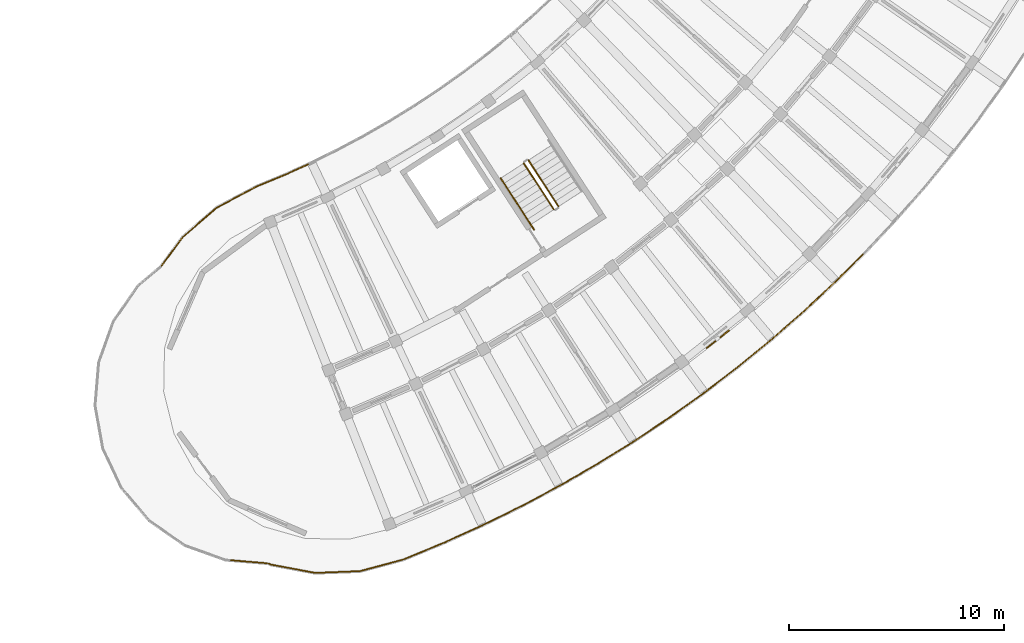
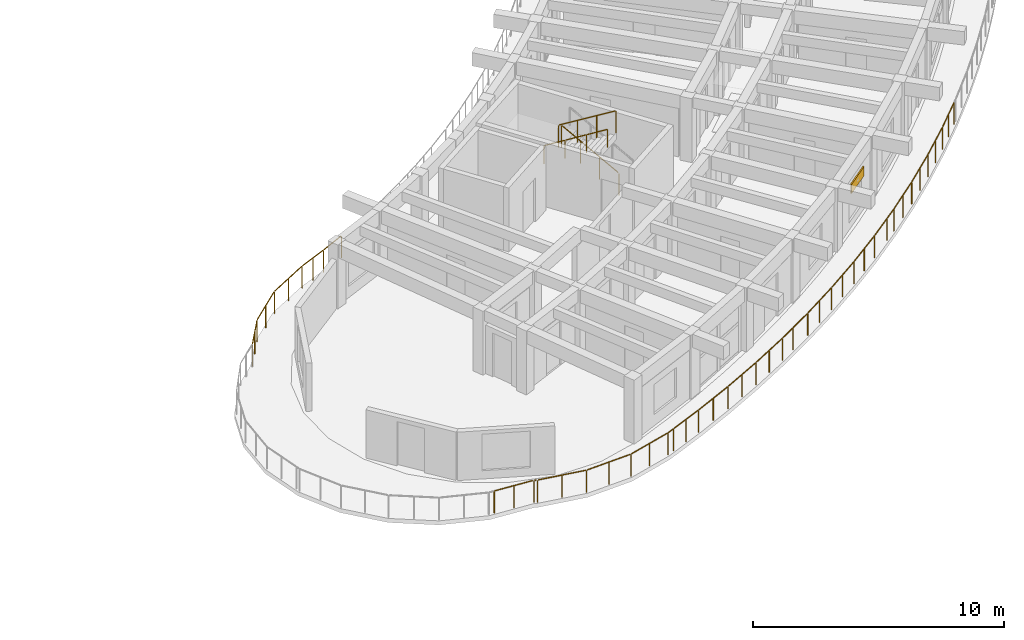
# One storey, part 76 of 83: 10 railings, 1 shading device.
"""IFC4 building model written with IfcOpenShell, lengths in metres."""

from ifc_helpers import new_model, si_unit, direction, frame, origin, origin_2d, place, context, subcontext, project, spatial, rectangle, circle, extrude, material, layer, layer_set, type_object, element, save


model = new_model("IFC4")

# Units and contexts
model_context = context("Model", 3, precision=1e-05, world=origin(), true_north=direction((0.0, 1.0)))
body_context = subcontext(model_context, "Body", "Model", "MODEL_VIEW")
ifc_project = project(units=[si_unit("LENGTHUNIT", "METRE"), si_unit("AREAUNIT", "SQUARE_METRE"), si_unit("VOLUMEUNIT", "CUBIC_METRE"), si_unit("PLANEANGLEUNIT", "RADIAN"), si_unit("MASSUNIT", "GRAM", prefix="KILO")], contexts=[model_context])

# Site, building, storey
site_placement = place(None, origin())
site = spatial("IfcSite", under=ifc_project, at=site_placement, CompositionType="ELEMENT")
building_placement = place(site_placement, origin())
building = spatial("IfcBuilding", under=site, at=building_placement, Name="Tanwirah Colonnade Gardens", CompositionType="ELEMENT")
storey_placement = place(building_placement, frame((0.0, 0.0, 25.639892578125)))
storey = spatial("IfcBuildingStorey", under=building, at=storey_placement, Name="L07", CompositionType="ELEMENT", Elevation=25.639892578125)

# Railings
ifc_material_1 = material(Name="Precast concrete C40/50", Category="concrete")
railing_type_1 = type_object("IfcRailingType", Name="BAL-EXT110", PredefinedType="BALUSTRADE", material=ifc_material_1)
railing_1_placement = place(storey_placement, frame((132.203369140625, 21.069580078125, 0.0)))
element("IfcRailing", 1, at=railing_1_placement, inside=storey, type_object=railing_type_1, Name="Block D L07 Balcony Ribbon Balustrade 1", PredefinedType="BALUSTRADE", context=body_context, shape_type="SweptSolid", body=[
    extrude(circle(Radius=0.02392578125, at=origin_2d()), frame((0.0185546875, 0.025146484375, 1.076171875), z_axis=(0.592790459471, 0.805356735342, 0.0), x_axis=(-0.805356735342, 0.592790459471, 0.0)), (0.0, 0.0, 1.0), 1.64990234375),
    extrude(circle(Radius=0.02392578125, at=origin_2d()), frame((1.038818359375, 1.399658203125, 1.076171875), z_axis=(0.757196439802, 0.653187225496, 0.0), x_axis=(-0.653187225496, 0.757196439802, 0.0)), (0.0, 0.0, 1.0), 2.024169921875),
    extrude(circle(Radius=0.02392578125, at=origin_2d()), frame((2.622802734375, 2.7568359375, 1.076171875), z_axis=(0.883506739938, 0.468418445927, 0.0), x_axis=(-0.468418445927, 0.883506739938, 0.0)), (0.0, 0.0, 1.0), 2.029541015625),
    extrude(circle(Radius=0.02392578125, at=origin_2d()), frame((4.472412109375, 3.734130859375, 1.076171875), z_axis=(0.924313956319, 0.381632952134, 0.0), x_axis=(-0.381632952134, 0.924313956319, 0.0)), (0.0, 0.0, 1.0), 1.32763671875),
    extrude(circle(Radius=0.02392578125, at=origin_2d()), frame((5.759521484375, 4.266845703125, 1.076171875), z_axis=(0.911326854706, 0.411683572531, 0.0), x_axis=(-0.411683572531, 0.911326854706, 0.0)), (0.0, 0.0, 1.0), 1.153076171875),
    extrude(circle(Radius=0.02099609375, at=origin_2d()), origin(), (0.0, 0.0, 1.0), 1.049072265625),
    extrude(circle(Radius=0.02099609375, at=origin_2d()), frame((0.507568359375, 0.689453125, 0.0)), (0.0, 0.0, 1.0), 1.049072265625),
    extrude(circle(Radius=0.02099609375, at=origin_2d()), frame((1.01513671875, 1.379150390625, 0.0)), (0.0, 0.0, 1.0), 1.049072265625),
    extrude(circle(Radius=0.02099609375, at=origin_2d()), frame((1.80517578125, 2.060546875, 0.0)), (0.0, 0.0, 1.0), 1.049072265625),
    extrude(circle(Radius=0.02099609375, at=origin_2d()), frame((2.59521484375, 2.7421875, 0.0)), (0.0, 0.0, 1.0), 1.049072265625),
    extrude(circle(Radius=0.02099609375, at=origin_2d()), frame((3.51953125, 3.232177734375, 0.0)), (0.0, 0.0, 1.0), 1.049072265625),
    extrude(circle(Radius=0.02099609375, at=origin_2d()), frame((4.443603515625, 3.72216796875, 0.0)), (0.0, 0.0, 1.0), 1.049072265625),
    extrude(circle(Radius=0.02099609375, at=origin_2d()), frame((5.0859375, 3.9873046875, 0.0)), (0.0, 0.0, 1.0), 1.049072265625),
    extrude(circle(Radius=0.02099609375, at=origin_2d()), frame((5.728515625, 4.252685546875, 0.0)), (0.0, 0.0, 1.0), 1.049072265625),
    extrude(circle(Radius=0.02099609375, at=origin_2d()), frame((6.8388671875, 4.75439453125, 0.0)), (0.0, 0.0, 1.0), 1.049072265625),
])
railing_2_placement = place(storey_placement, frame((164.853271484375, 21.64404296875, 0.0)))
element("IfcRailing", 2, at=railing_2_placement, inside=storey, type_object=railing_type_1, Name="Block D L07 Balcony Ribbon Balustrade 12", PredefinedType="BALUSTRADE", context=body_context, shape_type="SweptSolid", body=[
    extrude(circle(Radius=0.02392578125, at=origin_2d()), frame((-0.022216796875, -0.02197265625, 1.076171875), z_axis=(-0.707931394667, -0.706281204936, 0.0), x_axis=(0.706281204936, -0.707931394667, 0.0)), (0.0, 0.0, 1.0), 1.712890625),
    extrude(circle(Radius=0.02392578125, at=origin_2d()), frame((-1.27978515625, -1.275146484375, 1.076171875), z_axis=(-0.730610060212, -0.682794947196, 0.0), x_axis=(0.682794947196, -0.730610060212, 0.0)), (0.0, 0.0, 1.0), 1.944091796875),
    extrude(circle(Radius=0.02392578125, at=origin_2d()), frame((-2.746337890625, -2.64453125, 1.076171875), z_axis=(-0.752508858808, -0.658582126553, 0.0), x_axis=(0.658582126553, -0.752508858808, 0.0)), (0.0, 0.0, 1.0), 1.944091796875),
    extrude(circle(Radius=0.02392578125, at=origin_2d()), frame((-4.257080078125, -3.96533203125, 1.076171875), z_axis=(-0.773707873236, -0.633542521771, 0.0), x_axis=(0.633542521771, -0.773707873236, 0.0)), (0.0, 0.0, 1.0), 1.944091796875),
    extrude(circle(Radius=0.02392578125, at=origin_2d()), frame((-5.810302734375, -5.23583984375, 1.076171875), z_axis=(-0.793974202164, -0.60795145061, 0.0), x_axis=(0.60795145061, -0.793974202164, 0.0)), (0.0, 0.0, 1.0), 0.642333984375),
    extrude(circle(Radius=0.02099609375, at=origin_2d()), origin(), (0.0, 0.0, 1.0), 1.049072265625),
    extrude(circle(Radius=0.02099609375, at=origin_2d()), frame((-0.62841796875, -0.626953125, 0.0)), (0.0, 0.0, 1.0), 1.049072265625),
    extrude(circle(Radius=0.02099609375, at=origin_2d()), frame((-1.2568359375, -1.25390625, 0.0)), (0.0, 0.0, 1.0), 1.049072265625),
    extrude(circle(Radius=0.02099609375, at=origin_2d()), frame((-1.98974609375, -1.93896484375, 0.0)), (0.0, 0.0, 1.0), 1.049072265625),
    extrude(circle(Radius=0.02099609375, at=origin_2d()), frame((-2.722900390625, -2.6240234375, 0.0)), (0.0, 0.0, 1.0), 1.049072265625),
    extrude(circle(Radius=0.02099609375, at=origin_2d()), frame((-3.47802734375, -3.28466796875, 0.0)), (0.0, 0.0, 1.0), 1.049072265625),
    extrude(circle(Radius=0.02099609375, at=origin_2d()), frame((-4.23291015625, -3.945556640625, 0.0)), (0.0, 0.0, 1.0), 1.049072265625),
    extrude(circle(Radius=0.02099609375, at=origin_2d()), frame((-5.00927734375, -4.5810546875, 0.0)), (0.0, 0.0, 1.0), 1.049072265625),
    extrude(circle(Radius=0.02099609375, at=origin_2d()), frame((-5.785400390625, -5.216796875, 0.0)), (0.0, 0.0, 1.0), 1.049072265625),
    extrude(circle(Radius=0.02099609375, at=origin_2d()), frame((-6.344970703125, -5.645263671875, 0.0)), (0.0, 0.0, 1.0), 1.049072265625),
])
railing_3_placement = place(storey_placement, frame((158.50830078125, 15.998779296875, 0.0)))
element("IfcRailing", 3, at=railing_3_placement, inside=storey, type_object=railing_type_1, Name="Block D L07 Balcony Ribbon Balustrade 13", PredefinedType="BALUSTRADE", context=body_context, shape_type="SweptSolid", body=[
    extrude(circle(Radius=0.02392578125, at=origin_2d()), frame((-0.02490234375, -0.01904296875, 1.076171875), z_axis=(-0.794064957786, -0.607832906987, 0.0), x_axis=(0.607832906987, -0.794064957786, 0.0)), (0.0, 0.0, 1.0), 1.2392578125),
    extrude(circle(Radius=0.02392578125, at=origin_2d()), frame((-1.05908203125, -0.809326171875, 1.076171875), z_axis=(-0.813486769226, -0.581583421612, 0.0), x_axis=(0.581583421612, -0.813486769226, 0.0)), (0.0, 0.0, 1.0), 1.944091796875),
    extrude(circle(Radius=0.02392578125, at=origin_2d()), frame((-2.692138671875, -1.9755859375, 1.076171875), z_axis=(-0.832069011603, -0.554672119301, 0.0), x_axis=(0.554672119301, -0.832069011603, 0.0)), (0.0, 0.0, 1.0), 1.944091796875),
    extrude(circle(Radius=0.02392578125, at=origin_2d()), frame((-4.3623046875, -3.087890625, 1.076171875), z_axis=(-0.84977735452, -0.527141771959, 0.0), x_axis=(0.527141771959, -0.84977735452, 0.0)), (0.0, 0.0, 1.0), 1.9443359375),
    extrude(circle(Radius=0.02392578125, at=origin_2d()), frame((-6.068115234375, -4.144775390625, 1.076171875), z_axis=(-0.866606164405, -0.498992741245, 0.0), x_axis=(0.498992741245, -0.866606164405, 0.0)), (0.0, 0.0, 1.0), 1.11572265625),
    extrude(circle(Radius=0.02099609375, at=origin_2d()), origin(), (0.0, 0.0, 1.0), 1.049072265625),
    extrude(circle(Radius=0.02099609375, at=origin_2d()), frame((-1.03369140625, -0.791259765625, 0.0)), (0.0, 0.0, 1.0), 1.049072265625),
    extrude(circle(Radius=0.02099609375, at=origin_2d()), frame((-1.849853515625, -1.374755859375, 0.0)), (0.0, 0.0, 1.0), 1.049072265625),
    extrude(circle(Radius=0.02099609375, at=origin_2d()), frame((-2.666015625, -1.958251953125, 0.0)), (0.0, 0.0, 1.0), 1.049072265625),
    extrude(circle(Radius=0.02099609375, at=origin_2d()), frame((-3.5009765625, -2.5146484375, 0.0)), (0.0, 0.0, 1.0), 1.049072265625),
    extrude(circle(Radius=0.02099609375, at=origin_2d()), frame((-4.335693359375, -3.0712890625, 0.0)), (0.0, 0.0, 1.0), 1.049072265625),
    extrude(circle(Radius=0.02099609375, at=origin_2d()), frame((-5.1884765625, -3.60009765625, 0.0)), (0.0, 0.0, 1.0), 1.049072265625),
    extrude(circle(Radius=0.02099609375, at=origin_2d()), frame((-6.041015625, -4.129150390625, 0.0)), (0.0, 0.0, 1.0), 1.049072265625),
    extrude(circle(Radius=0.02099609375, at=origin_2d()), frame((-7.06201171875, -4.717041015625, 0.0)), (0.0, 0.0, 1.0), 1.049072265625),
])
railing_4_placement = place(storey_placement, frame((151.4462890625, 11.28173828125, 0.0)))
element("IfcRailing", 4, at=railing_4_placement, inside=storey, type_object=railing_type_1, Name="Block D L07 Balcony Ribbon Balustrade 14", PredefinedType="BALUSTRADE", context=body_context, shape_type="SweptSolid", body=[
    extrude(circle(Radius=0.02392578125, at=origin_2d()), frame((-0.027099609375, -0.015625, 1.076171875), z_axis=(-0.866587693688, -0.499024818168, 0.0), x_axis=(0.499024818168, -0.866587693688, 0.0)), (0.0, 0.0, 1.0), 0.765869140625),
    extrude(circle(Radius=0.02392578125, at=origin_2d()), frame((-0.745361328125, -0.427978515625, 1.076171875), z_axis=(-0.882416921514, -0.470468252516, 0.0), x_axis=(0.470468252516, -0.882416921514, 0.0)), (0.0, 0.0, 1.0), 1.944091796875),
    extrude(circle(Radius=0.02392578125, at=origin_2d()), frame((-2.5166015625, -1.371337890625, 1.076171875), z_axis=(-0.897352335885, -0.441314836916, 0.0), x_axis=(0.441314836916, -0.897352335885, 0.0)), (0.0, 0.0, 1.0), 1.944091796875),
    extrude(circle(Radius=0.02392578125, at=origin_2d()), frame((-4.317626953125, -2.255859375, 1.076171875), z_axis=(-0.911305810052, -0.411730155035, 0.0), x_axis=(0.411730155035, -0.911305810052, 0.0)), (0.0, 0.0, 1.0), 1.944091796875),
    extrude(circle(Radius=0.02392578125, at=origin_2d()), frame((-6.146484375, -3.0810546875, 1.076171875), z_axis=(-0.924322633724, -0.381611934806, 0.0), x_axis=(0.381611934806, -0.924322633724, 0.0)), (0.0, 0.0, 1.0), 1.58935546875),
    extrude(circle(Radius=0.02099609375, at=origin_2d()), origin(), (0.0, 0.0, 1.0), 1.049072265625),
    extrude(circle(Radius=0.02099609375, at=origin_2d()), frame((-0.7177734375, -0.413330078125, 0.0)), (0.0, 0.0, 1.0), 1.049072265625),
    extrude(circle(Radius=0.02099609375, at=origin_2d()), frame((-1.60302734375, -0.88525390625, 0.0)), (0.0, 0.0, 1.0), 1.049072265625),
    extrude(circle(Radius=0.02099609375, at=origin_2d()), frame((-2.488525390625, -1.357421875, 0.0)), (0.0, 0.0, 1.0), 1.049072265625),
    extrude(circle(Radius=0.02099609375, at=origin_2d()), frame((-3.388671875, -1.80029296875, 0.0)), (0.0, 0.0, 1.0), 1.049072265625),
    extrude(circle(Radius=0.02099609375, at=origin_2d()), frame((-4.2890625, -2.242919921875, 0.0)), (0.0, 0.0, 1.0), 1.049072265625),
    extrude(circle(Radius=0.02099609375, at=origin_2d()), frame((-5.203369140625, -2.656005859375, 0.0)), (0.0, 0.0, 1.0), 1.049072265625),
    extrude(circle(Radius=0.02099609375, at=origin_2d()), frame((-6.11767578125, -3.069091796875, 0.0)), (0.0, 0.0, 1.0), 1.049072265625),
    extrude(circle(Radius=0.02099609375, at=origin_2d()), frame((-6.881103515625, -3.38427734375, 0.0)), (0.0, 0.0, 1.0), 1.049072265625),
    extrude(circle(Radius=0.02099609375, at=origin_2d()), frame((-7.64453125, -3.699462890625, 0.0)), (0.0, 0.0, 1.0), 1.049072265625),
])
railing_5_placement = place(storey_placement, frame((143.8017578125, 7.582275390625, 0.0)))
element("IfcRailing", 5, at=railing_5_placement, inside=storey, type_object=railing_type_1, Name="Block D L07 Balcony Ribbon Balustrade 15", PredefinedType="BALUSTRADE", context=body_context, shape_type="SweptSolid", body=[
    extrude(circle(Radius=0.02392578125, at=origin_2d()), frame((-0.02880859375, -0.011962890625, 1.076171875), z_axis=(-0.924245422318, -0.381798899061, 0.0), x_axis=(0.381798899061, -0.924245422318, 0.0)), (0.0, 0.0, 1.0), 0.28857421875),
    extrude(circle(Radius=0.02392578125, at=origin_2d()), frame((-0.354736328125, -0.14208984375, 1.076171875), z_axis=(-0.965594333473, -0.260053039139, 0.0), x_axis=(0.260053039139, -0.965594333473, 0.0)), (0.0, 0.0, 1.0), 2.0283203125),
    extrude(circle(Radius=0.02392578125, at=origin_2d()), frame((-2.37451171875, -0.678955078125, 1.076171875), z_axis=(-0.999254419524, -0.038608354811, 0.0), x_axis=(0.038608354811, -0.999254419524, 0.0)), (0.0, 0.0, 1.0), 2.024169921875),
    extrude(circle(Radius=0.02392578125, at=origin_2d()), frame((-4.459228515625, -0.75244140625, 1.076171875), z_axis=(-0.982791306603, 0.184719375447, 0.0), x_axis=(-0.184719375447, -0.982791306603, 0.0)), (0.0, 0.0, 1.0), 2.0244140625),
    extrude(circle(Radius=0.02392578125, at=origin_2d()), frame((-6.508056640625, -0.3603515625, 1.076171875), z_axis=(-0.917244262418, 0.398325197624, 0.0), x_axis=(-0.398325197624, -0.917244262418, 0.0)), (0.0, 0.0, 1.0), 0.071044921875),
    extrude(circle(Radius=0.02392578125, at=origin_2d()), frame((-6.65869140625, -0.310546875, 1.076171875), z_axis=(-0.996565255882, 0.082811175382, 0.0), x_axis=(-0.082811175382, -0.996565255882, 0.0)), (0.0, 0.0, 1.0), 1.662109375),
    extrude(circle(Radius=0.02099609375, at=origin_2d()), origin(), (0.0, 0.0, 1.0), 1.049072265625),
    extrude(circle(Radius=0.02099609375, at=origin_2d()), frame((-0.324462890625, -0.134033203125, 0.0)), (0.0, 0.0, 1.0), 1.049072265625),
    extrude(circle(Radius=0.02099609375, at=origin_2d()), frame((-1.333984375, -0.40576171875, 0.0)), (0.0, 0.0, 1.0), 1.049072265625),
    extrude(circle(Radius=0.02099609375, at=origin_2d()), frame((-2.34326171875, -0.677734375, 0.0)), (0.0, 0.0, 1.0), 1.049072265625),
    extrude(circle(Radius=0.02099609375, at=origin_2d()), frame((-3.3857421875, -0.718017578125, 0.0)), (0.0, 0.0, 1.0), 1.049072265625),
    extrude(circle(Radius=0.02099609375, at=origin_2d()), frame((-4.428466796875, -0.75830078125, 0.0)), (0.0, 0.0, 1.0), 1.049072265625),
    extrude(circle(Radius=0.02099609375, at=origin_2d()), frame((-5.4541015625, -0.5654296875, 0.0)), (0.0, 0.0, 1.0), 1.049072265625),
    extrude(circle(Radius=0.02099609375, at=origin_2d()), frame((-6.4794921875, -0.372802734375, 0.0)), (0.0, 0.0, 1.0), 1.049072265625),
    extrude(circle(Radius=0.02099609375, at=origin_2d()), frame((-6.60205078125, -0.319580078125, 0.0)), (0.0, 0.0, 1.0), 1.049072265625),
    extrude(circle(Radius=0.02099609375, at=origin_2d()), frame((-7.48681640625, -0.24169921875, 0.0)), (0.0, 0.0, 1.0), 1.049072265625),
    extrude(circle(Radius=0.02099609375, at=origin_2d()), frame((-8.34619140625, -0.17041015625, 0.0)), (0.0, 0.0, 1.0), 1.049072265625),
])
ifc_material_2 = material(Name="Powder-coated galvanized steel", Category="steel")
railing_type_2 = type_object("IfcRailingType", Name="GRD-ST110", PredefinedType="GUARDRAIL", material=ifc_material_2)
railing_6_placement = place(storey_placement, frame((150.691162109375, 23.865478515625, 0.168212890625)))
element("IfcRailing", 6, at=railing_6_placement, inside=storey, type_object=railing_type_2, Name="L07 ST-D1 stair guard 1", PredefinedType="GUARDRAIL", context=body_context, shape_type="SweptSolid", body=[
    extrude(circle(Radius=0.02392578125, at=origin_2d()), frame((-0.0146484375, 0.022705078125, 1.092041015625), z_axis=(-0.469192556557, 0.722484378858, 0.507813614603), x_axis=(-0.838667537708, -0.544643701143, 0.0)), (0.0, 0.0, 1.0), 2.914794921875),
    extrude(circle(Radius=0.02099609375, at=origin_2d()), origin(), (0.0, 0.0, 1.0), 1.049072265625),
    extrude(circle(Radius=0.02099609375, at=origin_2d()), frame((-0.465576171875, 0.717041015625, 0.50390625)), (0.0, 0.0, 1.0), 1.049072265625),
    extrude(circle(Radius=0.02099609375, at=origin_2d()), frame((-0.931396484375, 1.43408203125, 1.008056640625)), (0.0, 0.0, 1.0), 1.049072265625),
    extrude(circle(Radius=0.02099609375, at=origin_2d()), frame((-1.39697265625, 2.151123046875, 1.511962890625)), (0.0, 0.0, 1.0), 1.049072265625),
])
railing_7_placement = place(storey_placement, frame((149.076171875, 25.875, 1.84814453125)))
element("IfcRailing", 7, at=railing_7_placement, inside=storey, type_object=railing_type_2, Name="L07 ST-D1 stair guard 3", PredefinedType="GUARDRAIL", context=body_context, shape_type="SweptSolid", body=[
    extrude(circle(Radius=0.02392578125, at=origin_2d()), frame((0.0146484375, -0.022705078125, 1.092041015625), z_axis=(0.469192556557, -0.722484378858, 0.507813614603), x_axis=(0.838667537708, 0.544643701143, 0.0)), (0.0, 0.0, 1.0), 2.914794921875),
    extrude(circle(Radius=0.02099609375, at=origin_2d()), origin(), (0.0, 0.0, 1.0), 1.049072265625),
    extrude(circle(Radius=0.02099609375, at=origin_2d()), frame((0.465576171875, -0.717041015625, 0.50390625)), (0.0, 0.0, 1.0), 1.049072265625),
    extrude(circle(Radius=0.02099609375, at=origin_2d()), frame((0.931396484375, -1.43408203125, 1.008056640625)), (0.0, 0.0, 1.0), 1.049072265625),
    extrude(circle(Radius=0.02099609375, at=origin_2d()), frame((1.39697265625, -2.151123046875, 1.511962890625)), (0.0, 0.0, 1.0), 1.049072265625),
])
ifc_material_3 = material(Name="Brushed bronze stainless steel", Category="steel")
railing_type_3 = type_object("IfcRailingType", Name="HR-ST090", PredefinedType="HANDRAIL", material=ifc_material_3)
railing_8_placement = place(storey_placement, frame((148.002685546875, 25.177978515625, 1.84814453125)))
element("IfcRailing", 8, at=railing_8_placement, inside=storey, type_object=railing_type_3, Name="L07 ST-D1 stair handrail 4", PredefinedType="HANDRAIL", context=body_context, shape_type="SweptSolid", body=[
    extrude(circle(Radius=0.02392578125, at=origin_2d()), frame((0.0146484375, -0.0224609375, 0.891845703125), z_axis=(0.467815092293, -0.720598613141, 0.511748647445), x_axis=(0.838748777278, 0.544518584269, 0.0)), (0.0, 0.0, 1.0), 1.043212890625),
    extrude(circle(Radius=0.02099609375, at=origin_2d()), origin(), (0.0, 0.0, 1.0), 0.848876953125),
    extrude(circle(Radius=0.02099609375, at=origin_2d()), frame((0.517333984375, -0.796875, 0.56591796875)), (0.0, 0.0, 1.0), 0.848876953125),
])
railing_9_placement = place(storey_placement, frame((148.52001953125, 24.381103515625, 2.4140625)))
element("IfcRailing", 9, at=railing_9_placement, inside=storey, type_object=railing_type_3, Name="L07 ST-D1 stair handrail 5", PredefinedType="HANDRAIL", context=body_context, shape_type="SweptSolid", body=[
    extrude(circle(Radius=0.02392578125, at=origin_2d()), frame((0.0146484375, -0.0224609375, 0.891845703125), z_axis=(0.468009073391, -0.720336606828, 0.511940113771), x_axis=(0.838555156357, 0.544816712067, 0.0)), (0.0, 0.0, 1.0), 1.04345703125),
    extrude(circle(Radius=0.02099609375, at=origin_2d()), origin(), (0.0, 0.0, 1.0), 0.848876953125),
    extrude(circle(Radius=0.02099609375, at=origin_2d()), frame((0.517578125, -0.796630859375, 0.566162109375)), (0.0, 0.0, 1.0), 0.848876953125),
])
railing_10_placement = place(storey_placement, frame((149.03759765625, 23.58447265625, 2.980224609375)))
element("IfcRailing", 10, at=railing_10_placement, inside=storey, type_object=railing_type_3, Name="L07 ST-D1 stair handrail 6", PredefinedType="HANDRAIL", context=body_context, shape_type="SweptSolid", body=[
    extrude(circle(Radius=0.02392578125, at=origin_2d()), frame((0.0146484375, -0.0224609375, 0.891845703125), z_axis=(0.467815092293, -0.720598613141, 0.511748647445), x_axis=(0.838748777278, 0.544518584269, 0.0)), (0.0, 0.0, 1.0), 1.043212890625),
    extrude(circle(Radius=0.02099609375, at=origin_2d()), origin(), (0.0, 0.0, 1.0), 0.848876953125),
    extrude(circle(Radius=0.02099609375, at=origin_2d()), frame((0.517333984375, -0.796875, 0.56591796875)), (0.0, 0.0, 1.0), 0.848876953125),
])

# Shading device
ifc_material_4 = material(Name="Perforated architectural bronze aluminium", Category="aluminium")
ifc_layer = layer(ifc_material_4, 0.050048828125)
ifc_layer_set = layer_set([ifc_layer], Name="Perforated architectural bronze aluminium")
shading_device_type = type_object("IfcShadingDeviceType", Name="SHD-OVH1", PredefinedType="SHUTTER", material=ifc_layer_set)
shading_device_placement = place(storey_placement, frame((158.108154296875, 17.691650390625, 1.8349609375), z_axis=(0.0, 0.0, 1.0), x_axis=(0.783964750381, 0.62080533999, 0.0)))
element("IfcShadingDevice", 11, at=shading_device_placement, inside=storey, type_object=shading_device_type, Name="Solar shading louver hood D-L07-06", PredefinedType="SHUTTER", context=body_context, shape_type="SweptSolid", body=[
    extrude(rectangle(XDim=1.35009765625, YDim=0.06005859375, at=origin_2d()), origin(), (0.0, 0.0, 1.0), 0.449951171875),
])

save(model, "model.ifc")
